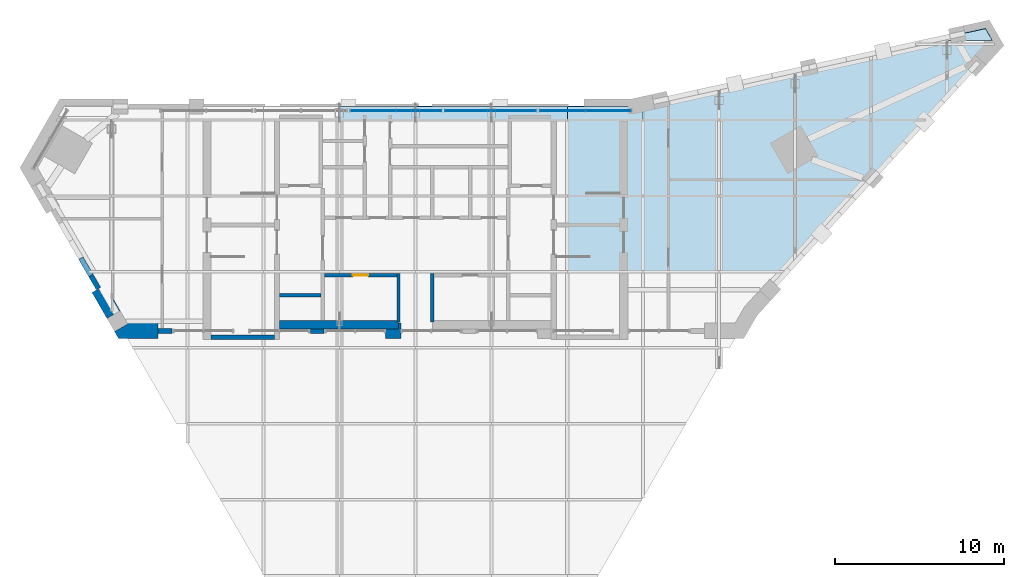
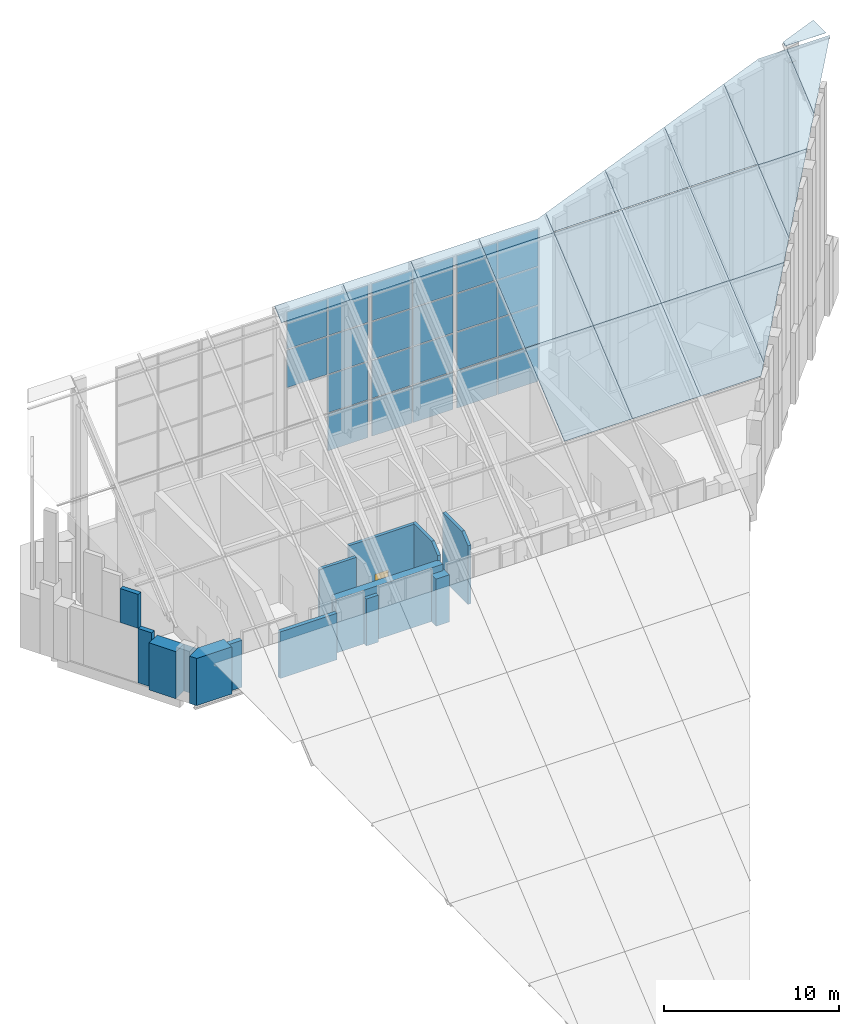
# One storey, part 11 of 19: 41 plates, 12 walls, 1 door, 1 opening, 12 elements without a shape of their own.
"""IFC4 building model written with IfcOpenShell, lengths in metres."""

from ifc_helpers import new_model, si_unit, direction, frame, frame_2d, origin, origin_2d, place, context, subcontext, project, spatial, polyline, rectangle, outline, extrude, material, layer, layer_set, type_object, element, fill, aggregate, save


model = new_model("IFC4")

# Units and contexts
model_context = context("Model", 3, precision=1e-05, world=origin(), true_north=direction((0.0, 1.0)))
body_context = subcontext(model_context, "Body", "Model", "MODEL_VIEW")
ifc_project = project(units=[si_unit("LENGTHUNIT", "METRE"), si_unit("AREAUNIT", "SQUARE_METRE"), si_unit("VOLUMEUNIT", "CUBIC_METRE"), si_unit("PLANEANGLEUNIT", "RADIAN"), si_unit("MASSUNIT", "GRAM", prefix="KILO")], contexts=[model_context])

# Site, building, storey
site_placement = place(None, origin())
site = spatial("IfcSite", under=ifc_project, at=site_placement, CompositionType="ELEMENT")
building_placement = place(site_placement, origin())
building = spatial("IfcBuilding", under=site, at=building_placement, Name="Calabash Gate Tower", CompositionType="ELEMENT")
storey_placement = place(building_placement, frame((0.0, 0.0, 335.5)))
storey = spatial("IfcBuildingStorey", under=building, at=storey_placement, Name="L78", CompositionType="ELEMENT", Elevation=335.5)

# Curtain wall, plate
ifc_material_1 = material(Name="Anodised aluminium frame, bronze finish, clear laminated low-emissivity glazing", Category="aluminium")
curtain_wall_type_1 = type_object("IfcCurtainWallType", Name="Curtain wall CWC crown roof glazing", PredefinedType="NOTDEFINED", material=ifc_material_1)
curtain_wall_1_placement = place(storey_placement, origin())
curtain_wall_1 = element("IfcCurtainWall", 1, at=curtain_wall_1_placement, inside=storey, type_object=curtain_wall_type_1, Name="Curtain wall CWC roof glazing strip 5", PredefinedType="NOTDEFINED")
ifc_material_2 = material(Name="Clear laminated low-emissivity glazing", Category="glass")
ifc_layer_1 = layer(ifc_material_2, 0.0400390625)
ifc_layer_set_1 = layer_set([ifc_layer_1], Name="Glass panel CWC 40")
plate_type_1 = type_object("IfcPlateType", Name="Glass panel CWC 40", PredefinedType="CURTAIN_PANEL", material=ifc_layer_set_1)
plate_1_placement = place(storey_placement, frame((-4.5, 19.052490234375, 15.0107421875), z_axis=(0.0, -0.642810353623, 0.766025358115), x_axis=(1.0, 0.0, 0.0)))
plate_1 = element("IfcPlate", 2, at=plate_1_placement, type_object=plate_type_1, Name="CWC roof panel 5.10", PredefinedType="CURTAIN_PANEL", context=body_context, shape_type="SweptSolid", body=[
    extrude(outline(polyline([(0.0, 0.0), (4.5, 0.0), (4.5, -1.050048828125), (0.0, -1.050048828125), (0.0, 0.0)])), origin(), (0.0, 0.0, -1.0), 0.0400390625),
])
aggregate(curtain_wall_1, [plate_1])

curtain_wall_2_placement = place(storey_placement, origin())
curtain_wall_2 = element("IfcCurtainWall", 3, at=curtain_wall_2_placement, inside=storey, type_object=curtain_wall_type_1, Name="Curtain wall CWC roof glazing strip 6", PredefinedType="NOTDEFINED")
plate_2_placement = place(storey_placement, frame((0.0, 19.052490234375, 15.0107421875), z_axis=(0.0, -0.642810353623, 0.766025358115), x_axis=(1.0, 0.0, 0.0)))
plate_2 = element("IfcPlate", 4, at=plate_2_placement, type_object=plate_type_1, Name="CWC roof panel 6.10", PredefinedType="CURTAIN_PANEL", context=body_context, shape_type="SweptSolid", body=[
    extrude(outline(polyline([(0.0, 0.0), (4.5, 0.0), (4.5, -1.050048828125), (0.0, -1.050048828125), (0.0, 0.0)])), origin(), (0.0, 0.0, -1.0), 0.0400390625),
])
aggregate(curtain_wall_2, [plate_2])

curtain_wall_3_placement = place(storey_placement, origin())
curtain_wall_3 = element("IfcCurtainWall", 5, at=curtain_wall_3_placement, inside=storey, type_object=curtain_wall_type_1, Name="Curtain wall CWC roof glazing strip 7", PredefinedType="NOTDEFINED")
plate_3_placement = place(storey_placement, frame((4.5, 19.052490234375, 15.0107421875), z_axis=(0.0, -0.642810353623, 0.766025358115), x_axis=(1.0, 0.0, 0.0)))
plate_3 = element("IfcPlate", 6, at=plate_3_placement, type_object=plate_type_1, Name="CWC roof panel 7.10", PredefinedType="CURTAIN_PANEL", context=body_context, shape_type="SweptSolid", body=[
    extrude(outline(polyline([(0.0, 0.0), (4.5, 0.0), (4.5, -1.050048828125), (0.0, -1.050048828125), (0.0, 0.0)])), origin(), (0.0, 0.0, -1.0), 0.0400390625),
])
aggregate(curtain_wall_3, [plate_3])

# Curtain wall, plates
curtain_wall_4_placement = place(storey_placement, origin())
curtain_wall_4 = element("IfcCurtainWall", 7, at=curtain_wall_4_placement, inside=storey, type_object=curtain_wall_type_1, Name="Curtain wall CWC roof glazing strip 8", PredefinedType="NOTDEFINED")
plate_4_placement = place(storey_placement, frame((9.0, 13.748046875, 10.559814453125), z_axis=(0.0, -0.642780673403, 0.766050263298), x_axis=(1.0, 0.0, 0.0)))
plate_4 = element("IfcPlate", 8, at=plate_4_placement, type_object=plate_type_1, Name="CWC roof panel 8.6", PredefinedType="CURTAIN_PANEL", context=body_context, shape_type="SweptSolid", body=[
    extrude(outline(polyline([(0.0, 0.0), (4.5, 0.0), (4.5, -5.874267578125), (0.0, -5.874267578125), (0.0, 0.0)])), origin(), (0.0, 0.0, -1.0), 0.0400390625),
])
plate_5_placement = place(storey_placement, frame((9.0, 18.248046875, 14.335693359375), z_axis=(0.0, -0.642780673403, 0.766050263298), x_axis=(1.0, 0.0, 0.0)))
plate_5 = element("IfcPlate", 9, at=plate_5_placement, type_object=plate_type_1, Name="CWC roof panel 8.7", PredefinedType="CURTAIN_PANEL", context=body_context, shape_type="SweptSolid", body=[
    extrude(outline(polyline([(0.0, 0.0), (4.5, 0.0), (4.5, -5.874267578125), (0.0, -5.874267578125), (0.0, 0.0)])), origin(), (0.0, 0.0, -1.0), 0.0400390625),
])
plate_6_placement = place(storey_placement, frame((9.0, 19.052490234375, 15.0107421875), z_axis=(1.745454e-06, -0.642809565949, 0.766026019089), x_axis=(0.999999999998, 1.121994e-06, -1.337063e-06)))
plate_6 = element("IfcPlate", 10, at=plate_6_placement, type_object=plate_type_1, Name="CWC roof panel 8.8", PredefinedType="CURTAIN_PANEL", context=body_context, shape_type="SweptSolid", body=[
    extrude(outline(polyline([(0.0, 0.0), (3.88134765625, 0.0), (4.5, 0.17822265625), (4.5, -1.050048828125), (0.0, -1.050048828125), (0.0, 0.0)])), origin(), (0.0, 0.0, -1.0), 0.0400390625),
])
aggregate(curtain_wall_4, [plate_4, plate_5, plate_6])

curtain_wall_5_placement = place(storey_placement, origin())
curtain_wall_5 = element("IfcCurtainWall", 11, at=curtain_wall_5_placement, inside=storey, type_object=curtain_wall_type_1, Name="Curtain wall CWC roof glazing strip 9", PredefinedType="NOTDEFINED")
plate_7_placement = place(storey_placement, frame((13.5, 13.748046875, 10.559814453125), z_axis=(0.0, -0.642780673403, 0.766050263298), x_axis=(1.0, 0.0, 0.0)))
plate_7 = element("IfcPlate", 12, at=plate_7_placement, type_object=plate_type_1, Name="CWC roof panel 9.4", PredefinedType="CURTAIN_PANEL", context=body_context, shape_type="SweptSolid", body=[
    extrude(outline(polyline([(0.0, 0.0), (4.5, 0.0), (4.5, -5.874267578125), (0.0, -5.874267578125), (0.0, 0.0)])), origin(), (0.0, 0.0, -1.0), 0.0400390625),
])
plate_8_placement = place(storey_placement, frame((13.5, 18.248046875, 14.335693359375), z_axis=(0.0, -0.642780673403, 0.766050263298), x_axis=(1.0, 0.0, 0.0)))
plate_8 = element("IfcPlate", 13, at=plate_8_placement, type_object=plate_type_1, Name="CWC roof panel 9.5", PredefinedType="CURTAIN_PANEL", context=body_context, shape_type="SweptSolid", body=[
    extrude(outline(polyline([(0.0, 0.0), (4.5, 0.0), (4.5, -5.874267578125), (0.0, -5.874267578125), (0.0, 0.0)])), origin(), (0.0, 0.0, -1.0), 0.0400390625),
])
plate_9_placement = place(storey_placement, frame((18.0, 20.181884765625, 15.95849609375), z_axis=(-9.214774e-06, -0.642780796952, 0.766050159575), x_axis=(-1.55e-10, -0.766050159607, -0.64278079698)))
plate_9 = element("IfcPlate", 14, at=plate_9_placement, type_object=plate_type_1, Name="CWC roof panel 9.6", PredefinedType="CURTAIN_PANEL", context=body_context, shape_type="SweptSolid", body=[
    extrude(outline(polyline([(0.0, 0.0), (2.47216796875, 0.0), (2.47216796875, -4.5), (1.296142578125, -4.5), (0.0, 0.0)])), origin(), (0.0, 0.0, -1.0), 0.0400390625),
])
aggregate(curtain_wall_5, [plate_7, plate_8, plate_9])

curtain_wall_6_placement = place(storey_placement, origin())
curtain_wall_6 = element("IfcCurtainWall", 15, at=curtain_wall_6_placement, inside=storey, type_object=curtain_wall_type_1, Name="Curtain wall CWC roof glazing strip 10", PredefinedType="NOTDEFINED")
plate_10_placement = place(storey_placement, frame((22.0029296875, 9.248046875, 6.783935546875), z_axis=(1.6765928e-05, -0.642781760107, 0.766049351278), x_axis=(-0.999999999859, -1.0776833e-05, 1.2843528e-05)))
plate_10 = element("IfcPlate", 16, at=plate_10_placement, type_object=plate_type_1, Name="CWC roof panel 10.2", PredefinedType="CURTAIN_PANEL", context=body_context, shape_type="SweptSolid", body=[
    extrude(outline(polyline([(0.0, 0.0), (4.0029296875, 0.0), (4.0029296875, -5.874267578125), (-0.4970703125, -5.874267578125), (-0.4970703125, -0.709228515625), (0.0, 0.0)])), origin(), (0.0, 0.0, -1.0), 0.0400390625),
])
plate_11_placement = place(storey_placement, frame((18.0, 18.248046875, 14.335693359375), z_axis=(0.0, -0.642780673403, 0.766050263298), x_axis=(1.0, 0.0, 0.0)))
plate_11 = element("IfcPlate", 17, at=plate_11_placement, type_object=plate_type_1, Name="CWC roof panel 10.3", PredefinedType="CURTAIN_PANEL", context=body_context, shape_type="SweptSolid", body=[
    extrude(outline(polyline([(0.0, 0.0), (4.5, 0.0), (4.5, -5.874267578125), (0.0, -5.874267578125), (0.0, 0.0)])), origin(), (0.0, 0.0, -1.0), 0.0400390625),
])
plate_12_placement = place(storey_placement, frame((22.5, 21.1748046875, 16.79150390625), z_axis=(1.1077415e-05, -0.642778199673, 0.76605233888), x_axis=(-1.47e-10, -0.766052338927, -0.642778199712)))
plate_12 = element("IfcPlate", 18, at=plate_12_placement, type_object=plate_type_1, Name="CWC roof panel 10.4", PredefinedType="CURTAIN_PANEL", context=body_context, shape_type="SweptSolid", body=[
    extrude(outline(polyline([(0.0, 0.0), (3.768310546875, 0.0), (3.768310546875, -4.5), (1.296142578125, -4.5), (0.0, 0.0)])), origin(), (0.0, 0.0, -1.0), 0.0400390625),
])
aggregate(curtain_wall_6, [plate_10, plate_11, plate_12])

curtain_wall_7_placement = place(storey_placement, origin())
curtain_wall_7 = element("IfcCurtainWall", 19, at=curtain_wall_7_placement, inside=storey, type_object=curtain_wall_type_1, Name="Curtain wall CWC roof glazing strip 11", PredefinedType="NOTDEFINED")
plate_13_placement = place(storey_placement, frame((22.5, 9.79150390625, 7.23974609375), z_axis=(0.0, -0.642802903786, 0.766031609586), x_axis=(0.0, 0.766031609586, 0.642802903786)))
plate_13 = element("IfcPlate", 20, at=plate_13_placement, type_object=plate_type_1, Name="CWC roof panel 11.1", PredefinedType="CURTAIN_PANEL", context=body_context, shape_type="SweptSolid", body=[
    extrude(outline(polyline([(0.0, 0.0), (5.1650390625, 0.0), (5.1650390625, -3.618408203125), (0.0, 0.0)])), origin(), (0.0, 0.0, -1.0), 0.0400390625),
])
plate_14_placement = place(storey_placement, frame((26.118408203125, 13.748046875, 10.559814453125), z_axis=(-9.689396e-06, -0.642779559421, 0.76605119796), x_axis=(-0.999999999953, 6.228146e-06, -7.422573e-06)))
plate_14 = element("IfcPlate", 21, at=plate_14_placement, type_object=plate_type_1, Name="CWC roof panel 11.2", PredefinedType="CURTAIN_PANEL", context=body_context, shape_type="SweptSolid", body=[
    extrude(outline(polyline([(0.0, 0.0), (3.618408203125, 0.0), (3.618408203125, -5.874267578125), (-0.881591796875, -5.874267578125), (-0.881591796875, -1.258544921875), (0.0, 0.0)])), origin(), (0.0, 0.0, -1.0), 0.0400390625),
])
plate_15_placement = place(storey_placement, frame((27.0, 22.167724609375, 17.624755859375), z_axis=(-9.904771e-06, -0.642777126937, 0.766053239004), x_axis=(-8.7e-11, -0.766053239042, -0.642777126968)))
plate_15 = element("IfcPlate", 22, at=plate_15_placement, type_object=plate_type_1, Name="CWC roof panel 11.3", PredefinedType="CURTAIN_PANEL", context=body_context, shape_type="SweptSolid", body=[
    extrude(outline(polyline([(0.0, 0.0), (5.064453125, 0.0), (5.064453125, -4.5), (1.296142578125, -4.5), (0.0, 0.0)])), origin(), (0.0, 0.0, -1.0), 0.0400390625),
])
aggregate(curtain_wall_7, [plate_13, plate_14, plate_15])

curtain_wall_8_placement = place(storey_placement, origin())
curtain_wall_8 = element("IfcCurtainWall", 23, at=curtain_wall_8_placement, inside=storey, type_object=curtain_wall_type_1, Name="Curtain wall CWC roof glazing strip 12", PredefinedType="NOTDEFINED")
plate_16_placement = place(storey_placement, frame((27.0, 14.712158203125, 11.368896484375), z_axis=(0.0, -0.642766503939, 0.766062152448), x_axis=(0.0, 0.766062152448, 0.642766503939)))
plate_16 = element("IfcPlate", 24, at=plate_16_placement, type_object=plate_type_1, Name="CWC roof panel 12.1", PredefinedType="CURTAIN_PANEL", context=body_context, shape_type="SweptSolid", body=[
    extrude(outline(polyline([(0.0, 0.0), (4.61572265625, 0.0), (4.61572265625, -3.233642578125), (0.0, 0.0)])), origin(), (0.0, 0.0, -1.0), 0.0400390625),
])
plate_17_placement = place(storey_placement, frame((30.233642578125, 18.248046875, 14.335693359375), z_axis=(1.459816e-06, -0.642803823725, 0.766030837631), x_axis=(-0.999999999999, -9.38375e-07, 1.118264e-06)))
plate_17 = element("IfcPlate", 25, at=plate_17_placement, type_object=plate_type_1, Name="CWC roof panel 12.2", PredefinedType="CURTAIN_PANEL", context=body_context, shape_type="SweptSolid", body=[
    extrude(outline(polyline([(0.0, 0.0), (3.233642578125, 0.0), (3.233642578125, -5.11669921875), (0.603759765625, -5.87451171875), (-1.266357421875, -5.87451171875), (-1.266357421875, -1.807861328125), (0.0, 0.0)])), origin(), (0.0, 0.0, -1.0), 0.0400390625),
])
aggregate(curtain_wall_8, [plate_16, plate_17])

curtain_wall_9_placement = place(storey_placement, origin())
curtain_wall_9 = element("IfcCurtainWall", 26, at=curtain_wall_9_placement, inside=storey, type_object=curtain_wall_type_1, Name="Curtain wall CWC roof glazing strip 13", PredefinedType="NOTDEFINED")
plate_18_placement = place(storey_placement, frame((34.326904296875, 22.724365234375, 18.091552734375), z_axis=(0.000105066448, -0.642875970531, 0.765970283676), x_axis=(-0.573760249148, -0.627386270598, -0.526484229547)))
plate_18 = element("IfcPlate", 27, at=plate_18_placement, type_object=plate_type_1, Name="CWC roof panel 13.1", PredefinedType="CURTAIN_PANEL", context=body_context, shape_type="SweptSolid", body=[
    extrude(outline(polyline([(0.0, 0.0), (4.927001953125, 0.0), (1.596435546875, -2.333251953125), (-0.017578125, -0.029052734375), (0.0, 0.0)])), origin(), (0.0, 0.0, -1.0), 0.0400390625),
])
plate_19_placement = place(storey_placement, frame((34.19775390625, 22.947998046875, 18.206298828125), z_axis=(1.7797683e-05, -0.642729546857, 0.766093159661), x_axis=(-0.999999999842, -1.1439097e-05, 1.3634683e-05)))
plate_19 = element("IfcPlate", 28, at=plate_19_placement, type_object=plate_type_1, Name="CWC roof panel 13.2", PredefinedType="CURTAIN_PANEL", context=body_context, shape_type="SweptSolid", body=[
    extrude(outline(polyline([(0.0, 0.0), (2.69775390625, 0.0), (2.69775390625, -0.277587890625), (0.413818359375, -0.935546875), (0.0, 0.0)])), origin(), (0.0, 0.0, -1.0), 0.0400390625),
])
aggregate(curtain_wall_9, [plate_18, plate_19])

ifc_material_3 = material(Name="Anodised aluminium frame, bronze finish, clear laminated impact-rated glazing", Category="aluminium")
curtain_wall_type_2 = type_object("IfcCurtainWallType", Name="Curtain wall CWV crown wall", PredefinedType="NOTDEFINED", material=ifc_material_3)
curtain_wall_10_placement = place(storey_placement, origin())
curtain_wall_10 = element("IfcCurtainWall", 29, at=curtain_wall_10_placement, inside=storey, type_object=curtain_wall_type_2, Name="Curtain wall CWV L78 crown screen 6.1", PredefinedType="NOTDEFINED")
ifc_material_4 = material(Name="Clear laminated impact-rated glazing", Category="glass")
ifc_layer_2 = layer(ifc_material_4, 0.0439453125)
ifc_layer_set_2 = layer_set([ifc_layer_2], Name="Glass panel CWV 44")
plate_type_2 = type_object("IfcPlateType", Name="Glass panel CWV 44", PredefinedType="CURTAIN_PANEL", material=ifc_layer_set_2)
plate_20_placement = place(storey_placement, frame((11.433837890625, 18.802490234375, 3.875), z_axis=(0.0, 0.0, 1.0), x_axis=(-1.0, 0.0, 0.0)))
plate_20 = element("IfcPlate", 30, at=plate_20_placement, type_object=plate_type_2, Name="CWV panel 1.1", PredefinedType="CURTAIN_PANEL", context=body_context, shape_type="SweptSolid", body=[
    extrude(rectangle(XDim=2.645263671875, YDim=0.0439453125, at=origin_2d()), origin(), (0.0, 0.0, 1.0), 2.587158203125),
])
plate_21_placement = place(storey_placement, frame((11.433837890625, 18.802490234375, 6.537109375), z_axis=(0.0, 0.0, 1.0), x_axis=(-1.0, 0.0, 0.0)))
plate_21 = element("IfcPlate", 31, at=plate_21_placement, type_object=plate_type_2, Name="CWV panel 1.2", PredefinedType="CURTAIN_PANEL", context=body_context, shape_type="SweptSolid", body=[
    extrude(rectangle(XDim=2.645263671875, YDim=0.0439453125, at=origin_2d()), origin(), (0.0, 0.0, 1.0), 2.624755859375),
])
plate_22_placement = place(storey_placement, frame((11.433837890625, 18.802490234375, 9.23681640625), z_axis=(0.0, 0.0, 1.0), x_axis=(-1.0, 0.0, 0.0)))
plate_22 = element("IfcPlate", 32, at=plate_22_placement, type_object=plate_type_2, Name="CWV panel 1.3", PredefinedType="CURTAIN_PANEL", context=body_context, shape_type="SweptSolid", body=[
    extrude(rectangle(XDim=2.645263671875, YDim=0.0439453125, at=origin_2d()), origin(), (0.0, 0.0, 1.0), 2.624755859375),
])
plate_23_placement = place(storey_placement, frame((11.433837890625, 18.802490234375, 11.9365234375), z_axis=(0.0, 0.0, 1.0), x_axis=(-1.0, 0.0, 0.0)))
plate_23 = element("IfcPlate", 33, at=plate_23_placement, type_object=plate_type_2, Name="CWV panel 1.4", PredefinedType="CURTAIN_PANEL", context=body_context, shape_type="SweptSolid", body=[
    extrude(rectangle(XDim=2.645263671875, YDim=0.0439453125, at=origin_2d()), origin(), (0.0, 0.0, 1.0), 2.587158203125),
])
plate_24_placement = place(storey_placement, frame((8.71337890625, 18.802490234375, 3.875), z_axis=(0.0, 0.0, 1.0), x_axis=(-1.0, 0.0, 0.0)))
plate_24 = element("IfcPlate", 34, at=plate_24_placement, type_object=plate_type_2, Name="CWV panel 2.1", PredefinedType="CURTAIN_PANEL", context=body_context, shape_type="SweptSolid", body=[
    extrude(rectangle(XDim=2.645263671875, YDim=0.0439453125, at=origin_2d()), origin(), (0.0, 0.0, 1.0), 2.587158203125),
])
plate_25_placement = place(storey_placement, frame((8.71337890625, 18.802490234375, 6.537109375), z_axis=(0.0, 0.0, 1.0), x_axis=(-1.0, 0.0, 0.0)))
plate_25 = element("IfcPlate", 35, at=plate_25_placement, type_object=plate_type_2, Name="CWV panel 2.2", PredefinedType="CURTAIN_PANEL", context=body_context, shape_type="SweptSolid", body=[
    extrude(rectangle(XDim=2.645263671875, YDim=0.0439453125, at=origin_2d()), origin(), (0.0, 0.0, 1.0), 2.624755859375),
])
plate_26_placement = place(storey_placement, frame((8.71337890625, 18.802490234375, 9.23681640625), z_axis=(0.0, 0.0, 1.0), x_axis=(-1.0, 0.0, 0.0)))
plate_26 = element("IfcPlate", 36, at=plate_26_placement, type_object=plate_type_2, Name="CWV panel 2.3", PredefinedType="CURTAIN_PANEL", context=body_context, shape_type="SweptSolid", body=[
    extrude(rectangle(XDim=2.645263671875, YDim=0.0439453125, at=origin_2d()), origin(), (0.0, 0.0, 1.0), 2.624755859375),
])
plate_27_placement = place(storey_placement, frame((8.71337890625, 18.802490234375, 11.9365234375), z_axis=(0.0, 0.0, 1.0), x_axis=(-1.0, 0.0, 0.0)))
plate_27 = element("IfcPlate", 37, at=plate_27_placement, type_object=plate_type_2, Name="CWV panel 2.4", PredefinedType="CURTAIN_PANEL", context=body_context, shape_type="SweptSolid", body=[
    extrude(rectangle(XDim=2.645263671875, YDim=0.0439453125, at=origin_2d()), origin(), (0.0, 0.0, 1.0), 2.587158203125),
])
aggregate(curtain_wall_10, [plate_20, plate_21, plate_22, plate_23, plate_24, plate_25, plate_26, plate_27])

curtain_wall_11_placement = place(storey_placement, origin())
curtain_wall_11 = element("IfcCurtainWall", 38, at=curtain_wall_11_placement, inside=storey, type_object=curtain_wall_type_2, Name="Curtain wall CWV L78 crown screen 6.2", PredefinedType="NOTDEFINED")
plate_28_placement = place(storey_placement, frame((5.818115234375, 18.802490234375, 3.875), z_axis=(0.0, 0.0, 1.0), x_axis=(-1.0, 0.0, 0.0)))
plate_28 = element("IfcPlate", 39, at=plate_28_placement, type_object=plate_type_2, Name="CWV panel 1.1", PredefinedType="CURTAIN_PANEL", context=body_context, shape_type="SweptSolid", body=[
    extrude(rectangle(XDim=2.645263671875, YDim=0.0439453125, at=origin_2d()), origin(), (0.0, 0.0, 1.0), 2.587158203125),
])
plate_29_placement = place(storey_placement, frame((5.818115234375, 18.802490234375, 6.537109375), z_axis=(0.0, 0.0, 1.0), x_axis=(-1.0, 0.0, 0.0)))
plate_29 = element("IfcPlate", 40, at=plate_29_placement, type_object=plate_type_2, Name="CWV panel 1.2", PredefinedType="CURTAIN_PANEL", context=body_context, shape_type="SweptSolid", body=[
    extrude(rectangle(XDim=2.645263671875, YDim=0.0439453125, at=origin_2d()), origin(), (0.0, 0.0, 1.0), 2.624755859375),
])
plate_30_placement = place(storey_placement, frame((5.818115234375, 18.802490234375, 9.23681640625), z_axis=(0.0, 0.0, 1.0), x_axis=(-1.0, 0.0, 0.0)))
plate_30 = element("IfcPlate", 41, at=plate_30_placement, type_object=plate_type_2, Name="CWV panel 1.3", PredefinedType="CURTAIN_PANEL", context=body_context, shape_type="SweptSolid", body=[
    extrude(rectangle(XDim=2.645263671875, YDim=0.0439453125, at=origin_2d()), origin(), (0.0, 0.0, 1.0), 2.624755859375),
])
plate_31_placement = place(storey_placement, frame((5.818115234375, 18.802490234375, 11.9365234375), z_axis=(0.0, 0.0, 1.0), x_axis=(-1.0, 0.0, 0.0)))
plate_31 = element("IfcPlate", 42, at=plate_31_placement, type_object=plate_type_2, Name="CWV panel 1.4", PredefinedType="CURTAIN_PANEL", context=body_context, shape_type="SweptSolid", body=[
    extrude(rectangle(XDim=2.645263671875, YDim=0.0439453125, at=origin_2d()), origin(), (0.0, 0.0, 1.0), 2.587158203125),
])
plate_32_placement = place(storey_placement, frame((3.09765625, 18.802490234375, 3.875), z_axis=(0.0, 0.0, 1.0), x_axis=(-1.0, 0.0, 0.0)))
plate_32 = element("IfcPlate", 43, at=plate_32_placement, type_object=plate_type_2, Name="CWV panel 2.1", PredefinedType="CURTAIN_PANEL", context=body_context, shape_type="SweptSolid", body=[
    extrude(rectangle(XDim=2.645263671875, YDim=0.0439453125, at=origin_2d()), origin(), (0.0, 0.0, 1.0), 2.587158203125),
])
plate_33_placement = place(storey_placement, frame((3.09765625, 18.802490234375, 6.537109375), z_axis=(0.0, 0.0, 1.0), x_axis=(-1.0, 0.0, 0.0)))
plate_33 = element("IfcPlate", 44, at=plate_33_placement, type_object=plate_type_2, Name="CWV panel 2.2", PredefinedType="CURTAIN_PANEL", context=body_context, shape_type="SweptSolid", body=[
    extrude(rectangle(XDim=2.645263671875, YDim=0.0439453125, at=origin_2d()), origin(), (0.0, 0.0, 1.0), 2.624755859375),
])
plate_34_placement = place(storey_placement, frame((3.09765625, 18.802490234375, 9.23681640625), z_axis=(0.0, 0.0, 1.0), x_axis=(-1.0, 0.0, 0.0)))
plate_34 = element("IfcPlate", 45, at=plate_34_placement, type_object=plate_type_2, Name="CWV panel 2.3", PredefinedType="CURTAIN_PANEL", context=body_context, shape_type="SweptSolid", body=[
    extrude(rectangle(XDim=2.645263671875, YDim=0.0439453125, at=origin_2d()), origin(), (0.0, 0.0, 1.0), 2.624755859375),
])
plate_35_placement = place(storey_placement, frame((3.09765625, 18.802490234375, 11.9365234375), z_axis=(0.0, 0.0, 1.0), x_axis=(-1.0, 0.0, 0.0)))
plate_35 = element("IfcPlate", 46, at=plate_35_placement, type_object=plate_type_2, Name="CWV panel 2.4", PredefinedType="CURTAIN_PANEL", context=body_context, shape_type="SweptSolid", body=[
    extrude(rectangle(XDim=2.645263671875, YDim=0.0439453125, at=origin_2d()), origin(), (0.0, 0.0, 1.0), 2.587158203125),
])
aggregate(curtain_wall_11, [plate_28, plate_29, plate_30, plate_31, plate_32, plate_33, plate_34, plate_35])

curtain_wall_12_placement = place(storey_placement, origin())
curtain_wall_12 = element("IfcCurtainWall", 47, at=curtain_wall_12_placement, inside=storey, type_object=curtain_wall_type_2, Name="Curtain wall CWV L78 crown screen 6.3", PredefinedType="NOTDEFINED")
plate_36_placement = place(storey_placement, frame((0.202392578125, 18.802490234375, 3.875), z_axis=(0.0, 0.0, 1.0), x_axis=(-1.0, 0.0, 0.0)))
plate_36 = element("IfcPlate", 48, at=plate_36_placement, type_object=plate_type_2, Name="CWV panel 1.1", PredefinedType="CURTAIN_PANEL", context=body_context, shape_type="SweptSolid", body=[
    extrude(rectangle(XDim=2.645263671875, YDim=0.0439453125, at=origin_2d()), origin(), (0.0, 0.0, 1.0), 2.587158203125),
])
plate_37_placement = place(storey_placement, frame((0.202392578125, 18.802490234375, 6.537109375), z_axis=(0.0, 0.0, 1.0), x_axis=(-1.0, 0.0, 0.0)))
plate_37 = element("IfcPlate", 49, at=plate_37_placement, type_object=plate_type_2, Name="CWV panel 1.2", PredefinedType="CURTAIN_PANEL", context=body_context, shape_type="SweptSolid", body=[
    extrude(rectangle(XDim=2.645263671875, YDim=0.0439453125, at=origin_2d()), origin(), (0.0, 0.0, 1.0), 2.624755859375),
])
plate_38_placement = place(storey_placement, frame((0.202392578125, 18.802490234375, 9.23681640625), z_axis=(0.0, 0.0, 1.0), x_axis=(-1.0, 0.0, 0.0)))
plate_38 = element("IfcPlate", 50, at=plate_38_placement, type_object=plate_type_2, Name="CWV panel 1.3", PredefinedType="CURTAIN_PANEL", context=body_context, shape_type="SweptSolid", body=[
    extrude(rectangle(XDim=2.645263671875, YDim=0.0439453125, at=origin_2d()), origin(), (0.0, 0.0, 1.0), 2.624755859375),
])
plate_39_placement = place(storey_placement, frame((0.202392578125, 18.802490234375, 11.9365234375), z_axis=(0.0, 0.0, 1.0), x_axis=(-1.0, 0.0, 0.0)))
plate_39 = element("IfcPlate", 51, at=plate_39_placement, type_object=plate_type_2, Name="CWV panel 1.4", PredefinedType="CURTAIN_PANEL", context=body_context, shape_type="SweptSolid", body=[
    extrude(rectangle(XDim=2.645263671875, YDim=0.0439453125, at=origin_2d()), origin(), (0.0, 0.0, 1.0), 2.587158203125),
])
plate_40_placement = place(storey_placement, frame((-2.51806640625, 18.802490234375, 9.23681640625), z_axis=(0.0, 0.0, 1.0), x_axis=(-1.0, 0.0, 0.0)))
plate_40 = element("IfcPlate", 52, at=plate_40_placement, type_object=plate_type_2, Name="CWV panel 2.3", PredefinedType="CURTAIN_PANEL", context=body_context, shape_type="SweptSolid", body=[
    extrude(rectangle(XDim=2.645263671875, YDim=0.0439453125, at=origin_2d()), origin(), (0.0, 0.0, 1.0), 2.624755859375),
])
plate_41_placement = place(storey_placement, frame((-2.51806640625, 18.802490234375, 11.9365234375), z_axis=(0.0, 0.0, 1.0), x_axis=(-1.0, 0.0, 0.0)))
plate_41 = element("IfcPlate", 53, at=plate_41_placement, type_object=plate_type_2, Name="CWV panel 2.4", PredefinedType="CURTAIN_PANEL", context=body_context, shape_type="SweptSolid", body=[
    extrude(rectangle(XDim=2.645263671875, YDim=0.0439453125, at=origin_2d()), origin(), (0.0, 0.0, 1.0), 2.587158203125),
])
aggregate(curtain_wall_12, [plate_36, plate_37, plate_38, plate_39, plate_40, plate_41])

# Walls
ifc_material_5 = material(Name="Terracotta brick masonry, exposed face", Category="masonry")
ifc_layer_3 = layer(ifc_material_5, 0.89990234375)
ifc_layer_set_3 = layer_set([ifc_layer_3], Name="Brick end wall 900")
wall_type_1 = type_object("IfcWallType", Name="Brick end wall 900", PredefinedType="SOLIDWALL", material=ifc_layer_set_3)
wall_1_placement = place(storey_placement, origin())
element("IfcWall", 54, at=wall_1_placement, inside=storey, type_object=wall_type_1, Name="Brick pier L78 crown1.3", PredefinedType="SOLIDWALL", context=body_context, shape_type="SweptSolid", body=[
    extrude(outline(polyline([(-0.864013671875, 5.304443359375), (-0.864013671875, 6.204345703125), (-1.0, 6.204345703125), (-1.0, 5.8525390625), (-1.76416015625, 5.8525390625), (-1.76416015625, 5.304443359375), (-0.864013671875, 5.304443359375)])), origin(), (0.0, 0.0, 1.0), 3.29736328125),
])
wall_2_placement = place(storey_placement, origin())
element("IfcWall", 55, at=wall_2_placement, inside=storey, type_object=wall_type_1, Name="Brick end wall L78 1", PredefinedType="SOLIDWALL", context=body_context, shape_type="SweptSolid", body=[
    extrude(outline(polyline([(-18.3818359375, 8.472900390625), (-19.161376953125, 8.02294921875), (-18.276611328125, 6.49072265625), (-17.497314453125, 6.940673828125), (-17.04736328125, 6.161376953125), (-17.82666015625, 5.71142578125), (-17.591796875, 5.304443359375), (-15.26416015625, 5.304443359375), (-15.26416015625, 6.204345703125), (-17.072021484375, 6.204345703125), (-18.3818359375, 8.472900390625)])), origin(), (0.0, 0.0, 1.0), 3.29736328125),
])
ifc_material_6 = material(Name="Gypsum board on steel studs, mineral wool", Category="steel")
ifc_layer_4 = layer(ifc_material_6, 0.199951171875)
ifc_layer_set_4 = layer_set([ifc_layer_4], Name="Core partition 200 gypsum board")
wall_type_2 = type_object("IfcWallType", Name="Core partition 200 gypsum board", PredefinedType="PARTITIONING", material=ifc_layer_set_4)
for number, where, z_axis, x_axis, name in (
    (56, (-1.0, 6.272705078125, 0.0), (0.0, 0.0, 1.0), (0.0, 1.0, 0.0), "Core partition"),
    (57, (1.0, 6.272705078125, 0.0), (0.0, 0.0, 1.0), (0.0, 1.0, 0.0), "Core partition"),
):
    element("IfcWall", number, at=place(storey_placement, frame(where, z_axis=z_axis, x_axis=x_axis)), inside=storey, type_object=wall_type_2, Name=name, PredefinedType="PARTITIONING", context=body_context, shape_type="SweptSolid", body=[
        extrude(outline(polyline([(0.0, 0.0), (2.8798828125, 0.0), (2.8798828125, 4.699951171875), (0.703369140625, 4.699951171875), (0.0, 4.10986328125), (0.0, 0.0)])), frame((0.0, 0.10009765625, 0.0), z_axis=(0.0, -1.0, 0.0), x_axis=(1.0, 0.0, 0.0)), (0.0, 0.0, 1.0), 0.199951171875),
    ])

# Wall, opening, door
wall_3_placement = place(storey_placement, frame((-5.39990234375, 9.052490234375, 0.0), z_axis=(0.0, 0.0, 1.0), x_axis=(1.0, 0.0, 0.0)))
wall_3 = element("IfcWall", 58, at=wall_3_placement, inside=storey, type_object=wall_type_2, Name="Core partition", PredefinedType="PARTITIONING", context=body_context, shape_type="SweptSolid", body=[
    extrude(rectangle(XDim=4.2998046875, YDim=0.199951171875, at=frame_2d((2.14990234375, 0.0))), origin(), (0.0, 0.0, 1.0), 4.699951171875),
])
opening_placement = place(wall_3_placement, frame((1.699951171875, 0.0, 0.0)))
opening = element("IfcOpeningElement", 59, at=opening_placement, cuts=wall_3, Name="Opening L78-016", PredefinedType="OPENING", context=body_context, shape_type="SweptSolid", body=[
    extrude(rectangle(XDim=0.89990234375, YDim=2.10009765625, at=frame_2d((0.449951171875, 1.050048828125))), frame((0.0, 0.10986328125, 0.0), z_axis=(0.0, -1.0, 0.0), x_axis=(1.0, 0.0, 0.0)), (0.0, 0.0, 1.0), 0.219970703125),
])
ifc_material_7 = material(Name="Steel fire door set with fire-resisting glazing", Category="steel")
door_type = type_object("IfcDoorType", Name="Fire door D06 900x2100 FD60", OperationType="NOTDEFINED", PredefinedType="DOOR", material=ifc_material_7)
door_placement = place(opening_placement, origin())
door = element("IfcDoor", 60, at=door_placement, inside=storey, type_object=door_type, Name="Plant Control Room door", OperationType="SINGLE_SWING_RIGHT", OverallHeight=2.10009765625, OverallWidth=0.89990234375, PredefinedType="DOOR", context=body_context, shape_type="SweptSolid", body=[
    extrude(rectangle(XDim=0.89990234375, YDim=2.10009765625, at=frame_2d((0.449951171875, 1.050048828125))), frame((0.0, 0.02490234375, 0.0), z_axis=(0.0, -1.0, 0.0), x_axis=(1.0, 0.0, 0.0)), (0.0, 0.0, 1.0), 0.050048828125),
])
fill(opening, door)

# Walls
ifc_material_8 = material(Name="Concrete C60/75", Category="concrete")
ifc_layer_5 = layer(ifc_material_8, 0.25)
ifc_layer_set_5 = layer_set([ifc_layer_5], Name="Core wall 250 Concrete C60/75")
wall_type_3 = type_object("IfcWallType", Name="Core wall 250 Concrete C60/75", PredefinedType="SHEAR", material=ifc_layer_set_5)
wall_4_placement = place(storey_placement, frame((-12.10009765625, 5.377685546875, 0.0), z_axis=(0.0, 0.0, 1.0), x_axis=(1.0, 0.0, 0.0)))
element("IfcWall", 61, at=wall_4_placement, inside=storey, type_object=wall_type_3, Name="Core wall C-SSW L78", PredefinedType="SHEAR", context=body_context, shape_type="SweptSolid", body=[
    extrude(rectangle(XDim=3.75, YDim=0.25, at=frame_2d((1.875, 0.0))), origin(), (0.0, 0.0, 1.0), 3.25390625),
])
ifc_material_9 = material(Name="Concrete C60/75", Category="concrete")
ifc_layer_6 = layer(ifc_material_9, 0.5)
ifc_layer_set_6 = layer_set([ifc_layer_6], Name="Core wall 500 Concrete C60/75")
wall_type_4 = type_object("IfcWallType", Name="Core wall 500 Concrete C60/75", PredefinedType="SHEAR", material=ifc_layer_set_6)
wall_5_placement = place(storey_placement, frame((-8.050048828125, 6.1025390625, 0.0), z_axis=(0.0, 0.0, 1.0), x_axis=(1.0, 0.0, 0.0)))
element("IfcWall", 62, at=wall_5_placement, inside=storey, type_object=wall_type_4, Name="Core wall C-SA L78", PredefinedType="SHEAR", context=body_context, shape_type="SweptSolid", body=[
    extrude(rectangle(XDim=7.050048828125, YDim=0.5, at=frame_2d((3.52490234375, 0.0))), origin(), (0.0, 0.0, 1.0), 3.757568359375),
])
ifc_material_10 = material(Name="Concrete C40/50", Category="concrete")
ifc_layer_7 = layer(ifc_material_10, 0.199951171875)
ifc_layer_set_7 = layer_set([ifc_layer_7], Name="Shaft wall 200 Concrete C40/50")
wall_type_5 = type_object("IfcWallType", Name="Shaft wall 200 Concrete C40/50", PredefinedType="SOLIDWALL", material=ifc_layer_set_7)
wall_6_placement = place(storey_placement, frame((-8.050048828125, 7.8525390625, 0.0), z_axis=(0.0, 0.0, 1.0), x_axis=(1.0, 0.0, 0.0)))
element("IfcWall", 63, at=wall_6_placement, inside=storey, type_object=wall_type_5, Name="Shaft wall", PredefinedType="SOLIDWALL", context=body_context, shape_type="SweptSolid", body=[
    extrude(rectangle(XDim=2.449951171875, YDim=0.199951171875, at=frame_2d((1.22509765625, 0.0))), origin(), (0.0, 0.0, 1.0), 4.699951171875),
])
ifc_material_11 = material(Name="Terracotta louvre blades in an aluminium frame", Category="masonry")
ifc_layer_8 = layer(ifc_material_11, 0.300048828125)
ifc_layer_set_8 = layer_set([ifc_layer_8], Name="Terracotta louvre wall 300")
wall_type_6 = type_object("IfcWallType", Name="Terracotta louvre wall 300", PredefinedType="ELEMENTEDWALL", material=ifc_layer_set_8)
wall_7_placement = place(storey_placement, frame((-19.821533203125, 10.066650390625, 3.800048828125), z_axis=(0.0, 0.0, 1.0), x_axis=(0.499880961361, -0.866094119867, 0.0)))
element("IfcWall", 64, at=wall_7_placement, inside=storey, type_object=wall_type_6, Name="LOUVRE L78 crown upper 0.3", PredefinedType="ELEMENTEDWALL", context=body_context, shape_type="SweptSolid", body=[
    extrude(rectangle(XDim=1.199951171875, YDim=0.300048828125, at=frame_2d((0.60009765625, 0.0))), origin(), (0.0, 0.0, 1.0), 2.376220703125),
])
wall_8_placement = place(storey_placement, frame((-19.219482421875, 9.02392578125, 0.0), z_axis=(0.0, 0.0, 1.0), x_axis=(0.499928984136, -0.866066400931, 0.0)))
element("IfcWall", 65, at=wall_8_placement, inside=storey, type_object=wall_type_6, Name="LOUVRE L78 edge crown0.c2", PredefinedType="ELEMENTEDWALL", context=body_context, shape_type="SweptSolid", body=[
    extrude(rectangle(XDim=0.886962890625, YDim=0.300048828125, at=frame_2d((0.443359375, 0.0))), origin(), (0.0, 0.0, 1.0), 3.800048828125),
])
wall_9_placement = place(storey_placement, frame((-15.251953125, 5.75439453125, 0.0), z_axis=(0.0, 0.0, 1.0), x_axis=(1.0, 0.0, 0.0)))
element("IfcWall", 66, at=wall_9_placement, inside=storey, type_object=wall_type_6, Name="LOUVRE L78 edge crown1.c3", PredefinedType="ELEMENTEDWALL", context=body_context, shape_type="SweptSolid", body=[
    extrude(rectangle(XDim=0.840087890625, YDim=0.300048828125, at=frame_2d((0.419921875, 0.0))), origin(), (0.0, 0.0, 1.0), 3.27880859375),
])
wall_10_placement = place(storey_placement, frame((-6.201904296875, 5.7265625, 0.0), z_axis=(0.0, 0.0, 1.0), x_axis=(1.0, 0.0, 0.0)))
element("IfcWall", 67, at=wall_10_placement, inside=storey, type_object=wall_type_6, Name="LOUVRE L78 edge crown1.c4", PredefinedType="ELEMENTEDWALL", context=body_context, shape_type="SweptSolid", body=[
    extrude(rectangle(XDim=0.7900390625, YDim=0.244384765625, at=frame_2d((0.39501953125, 0.0))), origin(), (0.0, 0.0, 1.0), 3.27880859375),
])

save(model, "model.ifc")
